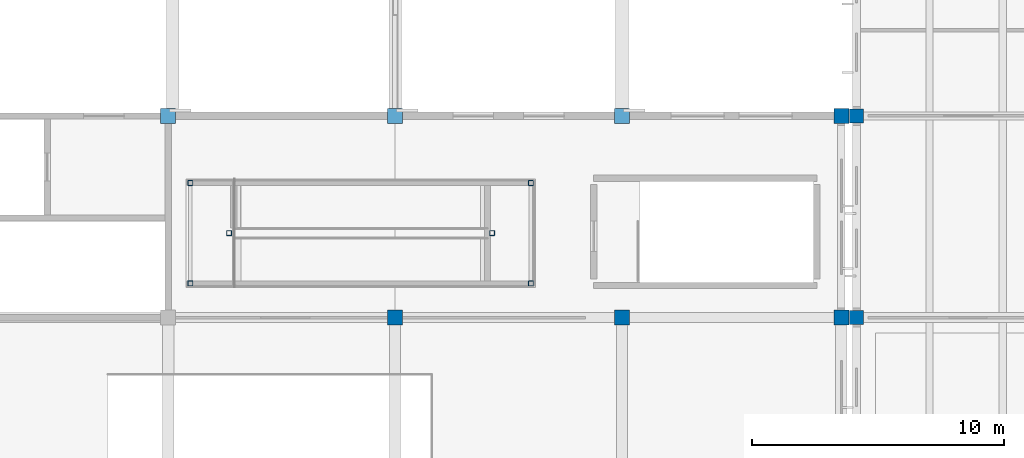
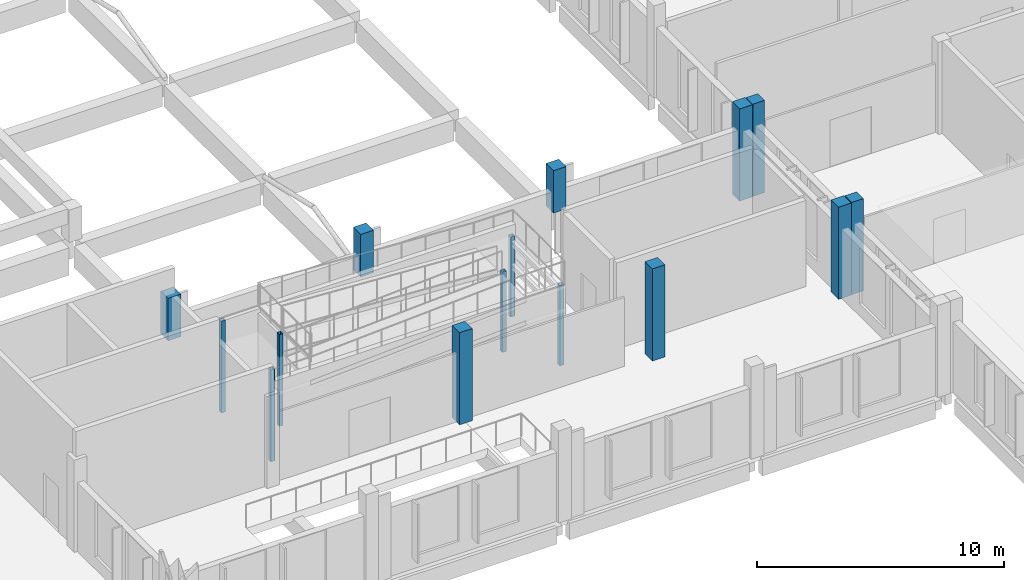
# One storey, part 2 of 63: 15 columns.
"""IFC4 building model written with IfcOpenShell, lengths in metres."""

from ifc_helpers import new_model, si_unit, direction, frame, origin, origin_2d, place, context, subcontext, project, spatial, rectangle, hollow_rectangle, extrude, material, material_profile, profile_set, type_object, element, save


model = new_model("IFC4")

# Units and contexts
model_context = context("Model", 3, precision=1e-05, world=origin(), true_north=direction((0.0, 1.0)))
body_context = subcontext(model_context, "Body", "Model", "MODEL_VIEW")
ifc_project = project(units=[si_unit("LENGTHUNIT", "METRE"), si_unit("AREAUNIT", "SQUARE_METRE"), si_unit("VOLUMEUNIT", "CUBIC_METRE"), si_unit("PLANEANGLEUNIT", "RADIAN"), si_unit("MASSUNIT", "GRAM", prefix="KILO")], contexts=[model_context])

# Site, building, storey
site_placement = place(None, origin())
site = spatial("IfcSite", under=ifc_project, at=site_placement, CompositionType="ELEMENT")
building_placement = place(site_placement, origin())
building = spatial("IfcBuilding", under=site, at=building_placement, Name="Zacnel Wholesale Market", CompositionType="ELEMENT")
storey_placement = place(building_placement, frame((0.0, 0.0, 11.199951171875)))
storey = spatial("IfcBuildingStorey", under=building, at=storey_placement, Name="L03", CompositionType="ELEMENT", Elevation=11.199951171875)

# Columns
ifc_material_1 = material(Name="Precast concrete C45/55", Category="concrete")
ifc_material_profile_1 = material_profile(ifc_material_1, rectangle(XDim=0.550048828125, YDim=0.550048828125, at=origin_2d()), Name="PC 550x550")
ifc_profile_set_1 = profile_set([ifc_material_profile_1], Name="Precast concrete C45/55")
column_type_1 = type_object("IfcColumnType", Name="COL-PC550", PredefinedType="COLUMN", material=ifc_profile_set_1)
for number, where, z_axis, x_axis, name in (
    (1, (144.300048828125, 16.0, 0.0), (0.0, 0.0, 1.0), (1.0, 0.0, 0.0), "Precast column L03-0764"),
    (2, (144.300048828125, 24.0, 0.0), (0.0, 0.0, 1.0), (1.0, 0.0, 0.0), "Precast column L03-0765"),
):
    element("IfcColumn", number, at=place(storey_placement, frame(where, z_axis=z_axis, x_axis=x_axis)), inside=storey, type_object=column_type_1, Name=name, PredefinedType="COLUMN", context=body_context, shape_type="SweptSolid", body=[
        extrude(rectangle(XDim=0.550048828125, YDim=0.550048828125, at=origin_2d()), origin(), (0.0, 0.0, 1.0), 4.550048828125),
    ])
ifc_material_2 = material(Name="Precast concrete C45/55", Category="concrete")
ifc_material_profile_2 = material_profile(ifc_material_2, rectangle(XDim=0.60009765625, YDim=0.60009765625, at=origin_2d()), Name="PC 600x600")
ifc_profile_set_2 = profile_set([ifc_material_profile_2], Name="Precast concrete C45/55")
column_type_2 = type_object("IfcColumnType", Name="COL-PC600", PredefinedType="COLUMN", material=ifc_profile_set_2)
column_1_placement = place(storey_placement, frame((117.0, 24.0, 2.449951171875), z_axis=(0.0, 0.0, 1.0), x_axis=(1.0, 0.0, 0.0)))
element("IfcColumn", 3, at=column_1_placement, inside=storey, type_object=column_type_2, Name="Precast wing column V4EL3-013", PredefinedType="COLUMN", context=body_context, shape_type="SweptSolid", body=[
    extrude(rectangle(XDim=0.60009765625, YDim=0.60009765625, at=origin_2d()), origin(), (0.0, 0.0, 1.0), 2.10009765625),
])
column_2_placement = place(storey_placement, frame((126.0, 16.0, 0.0), z_axis=(0.0, 0.0, 1.0), x_axis=(1.0, 0.0, 0.0)))
element("IfcColumn", 4, at=column_2_placement, inside=storey, type_object=column_type_2, Name="Precast wing column V4EL3-015", PredefinedType="COLUMN", context=body_context, shape_type="SweptSolid", body=[
    extrude(rectangle(XDim=0.60009765625, YDim=0.60009765625, at=origin_2d()), origin(), (0.0, 0.0, 1.0), 4.550048828125),
])
column_3_placement = place(storey_placement, frame((126.0, 24.0, 2.449951171875), z_axis=(0.0, 0.0, 1.0), x_axis=(1.0, 0.0, 0.0)))
element("IfcColumn", 5, at=column_3_placement, inside=storey, type_object=column_type_2, Name="Precast wing column V4EL3-016", PredefinedType="COLUMN", context=body_context, shape_type="SweptSolid", body=[
    extrude(rectangle(XDim=0.60009765625, YDim=0.60009765625, at=origin_2d()), origin(), (0.0, 0.0, 1.0), 2.10009765625),
])
column_4_placement = place(storey_placement, frame((135.0, 16.0, 0.0), z_axis=(0.0, 0.0, 1.0), x_axis=(1.0, 0.0, 0.0)))
element("IfcColumn", 6, at=column_4_placement, inside=storey, type_object=column_type_2, Name="Precast wing column V4EL3-018", PredefinedType="COLUMN", context=body_context, shape_type="SweptSolid", body=[
    extrude(rectangle(XDim=0.60009765625, YDim=0.60009765625, at=origin_2d()), origin(), (0.0, 0.0, 1.0), 4.550048828125),
])
column_5_placement = place(storey_placement, frame((135.0, 24.0, 2.449951171875), z_axis=(0.0, 0.0, 1.0), x_axis=(1.0, 0.0, 0.0)))
element("IfcColumn", 7, at=column_5_placement, inside=storey, type_object=column_type_2, Name="Precast wing column V4EL3-019", PredefinedType="COLUMN", context=body_context, shape_type="SweptSolid", body=[
    extrude(rectangle(XDim=0.60009765625, YDim=0.60009765625, at=origin_2d()), origin(), (0.0, 0.0, 1.0), 2.10009765625),
])
for number, where, z_axis, x_axis, name in (
    (8, (143.699951171875, 16.0, 0.0), (0.0, 0.0, 1.0), (1.0, 0.0, 0.0), "Precast wing column V4EL3-021"),
    (9, (143.699951171875, 24.0, 0.0), (0.0, 0.0, 1.0), (1.0, 0.0, 0.0), "Precast wing column V4EL3-022"),
):
    element("IfcColumn", number, at=place(storey_placement, frame(where, z_axis=z_axis, x_axis=x_axis)), inside=storey, type_object=column_type_2, Name=name, PredefinedType="COLUMN", context=body_context, shape_type="SweptSolid", body=[
        extrude(rectangle(XDim=0.60009765625, YDim=0.60009765625, at=origin_2d()), origin(), (0.0, 0.0, 1.0), 4.550048828125),
    ])
ifc_material_3 = material(Name="Steel S355", Category="steel")
ifc_material_profile_3 = material_profile(ifc_material_3, hollow_rectangle(XDim=0.199951171875, YDim=0.199951171875, WallThickness=0.010009765625, InnerFilletRadius=0.010009765625, OuterFilletRadius=0.02001953125, at=origin_2d()), Name="HSS 200x200x10")
ifc_profile_set_3 = profile_set([ifc_material_profile_3], Name="Steel S355")
column_type_3 = type_object("IfcColumnType", Name="COL-STL-HSS200", PredefinedType="COLUMN", material=ifc_profile_set_3)
for number, where, z_axis, x_axis, name in (
    (10, (117.8798828125, 17.360107421875, 0.0), (0.0, 0.0, 1.0), (1.0, 0.0, 0.0), "Accessible ramp RP-05 (RMP-PROM-3) support column 1"),
    (11, (119.419921875, 19.35009765625, 0.0), (0.0, 0.0, 1.0), (1.0, 0.0, 0.0), "Accessible ramp RP-05 (RMP-PROM-3) support column 2"),
    (12, (117.8798828125, 21.340087890625, 0.0), (0.0, 0.0, 1.0), (1.0, 0.0, 0.0), "Accessible ramp RP-05 (RMP-PROM-3) support column 3"),
):
    element("IfcColumn", number, at=place(storey_placement, frame(where, z_axis=z_axis, x_axis=x_axis)), inside=storey, type_object=column_type_3, Name=name, PredefinedType="COLUMN", context=body_context, shape_type="SweptSolid", body=[
        extrude(hollow_rectangle(XDim=0.199951171875, YDim=0.199951171875, WallThickness=0.010009765625, InnerFilletRadius=0.010009765625, OuterFilletRadius=0.02001953125, at=origin_2d()), origin(), (0.0, 0.0, 1.0), 4.530029296875),
    ])
for number, where, z_axis, x_axis, name in (
    (13, (131.385986328125, 17.360107421875, 0.0), (0.0, 0.0, 1.0), (1.0, 0.0, 0.0), "Accessible ramp RP-05 (RMP-PROM-3) support column 4"),
    (14, (129.845947265625, 19.35009765625, 0.0), (0.0, 0.0, 1.0), (1.0, 0.0, 0.0), "Accessible ramp RP-05 (RMP-PROM-3) support column 5"),
    (15, (131.385986328125, 21.340087890625, 0.0), (0.0, 0.0, 1.0), (1.0, 0.0, 0.0), "Accessible ramp RP-05 (RMP-PROM-3) support column 6"),
):
    element("IfcColumn", number, at=place(storey_placement, frame(where, z_axis=z_axis, x_axis=x_axis)), inside=storey, type_object=column_type_3, Name=name, PredefinedType="COLUMN", context=body_context, shape_type="SweptSolid", body=[
        extrude(hollow_rectangle(XDim=0.199951171875, YDim=0.199951171875, WallThickness=0.010009765625, InnerFilletRadius=0.010009765625, OuterFilletRadius=0.02001953125, at=origin_2d()), origin(), (0.0, 0.0, 1.0), 3.96142578125),
    ])

save(model, "model.ifc")
